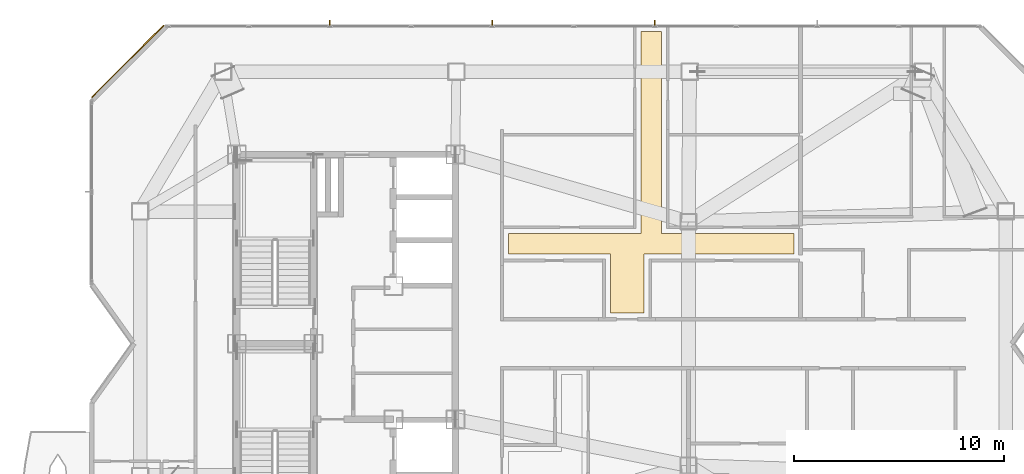
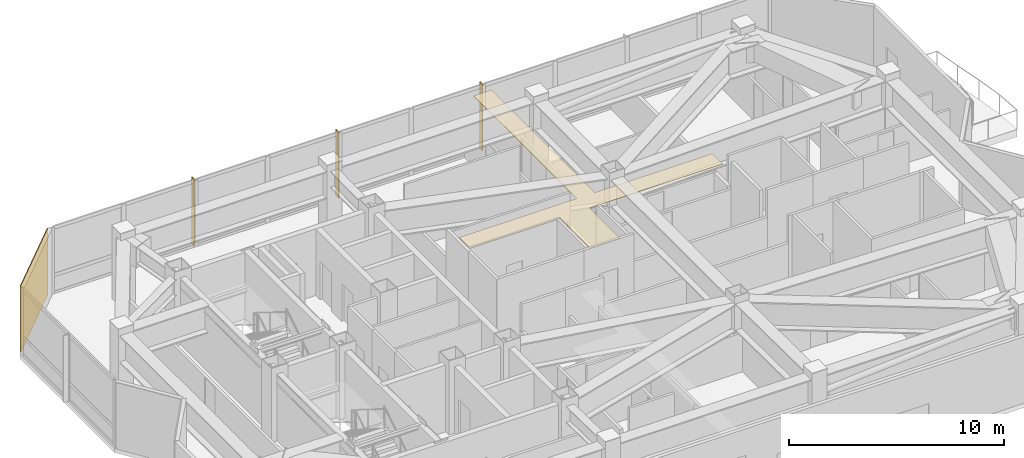
# One storey, part 15 of 16: 3 shading devices, 2 coverings.
"""IFC4 building model written with IfcOpenShell, lengths in metres."""

from ifc_helpers import new_model, si_unit, direction, frame, origin, origin_2d, place, context, subcontext, project, spatial, polyline, rectangle, outline, extrude, material, layer, layer_set, type_object, element, save


model = new_model("IFC4")

# Units and contexts
model_context = context("Model", 3, precision=1e-05, world=origin(), true_north=direction((0.0, 1.0)))
body_context = subcontext(model_context, "Body", "Model", "MODEL_VIEW")
ifc_project = project(units=[si_unit("LENGTHUNIT", "METRE"), si_unit("AREAUNIT", "SQUARE_METRE"), si_unit("VOLUMEUNIT", "CUBIC_METRE"), si_unit("PLANEANGLEUNIT", "RADIAN"), si_unit("MASSUNIT", "GRAM", prefix="KILO")], contexts=[model_context])

# Site, building, storey
site_placement = place(None, origin())
site = spatial("IfcSite", under=ifc_project, at=site_placement, CompositionType="ELEMENT")
building_placement = place(site_placement, origin())
building = spatial("IfcBuilding", under=site, at=building_placement, Name="Khamvora Tower", CompositionType="ELEMENT")
storey_placement = place(building_placement, frame((0.0, 0.0, 273.64990234375)))
storey = spatial("IfcBuildingStorey", under=building, at=storey_placement, Name="L70", CompositionType="ELEMENT", Elevation=273.64990234375)

# Coverings
ifc_material_1 = material(Name="Perforated Mineral-Fibre Acoustic Ceiling Tile", Category="gypsum")
ifc_layer_1 = layer(ifc_material_1, 0.02490234375)
ifc_layer_set_1 = layer_set([ifc_layer_1], Name="Perforated Mineral-Fibre Acoustic Ceiling Tile")
covering_type_1 = type_object("IfcCoveringType", Name="COV-CEIL-600", PredefinedType="CEILING", material=ifc_layer_set_1)
covering_1_placement = place(storey_placement, frame((0.0, 0.0, 3.5)))
element("IfcCovering", 1, at=covering_1_placement, inside=storey, type_object=covering_type_1, Name="L70 Apartment 70E1 Living and Dining Room acoustic ceiling panel", PredefinedType="CEILING", context=body_context, shape_type="SweptSolid", body=[
    extrude(outline(polyline([(48.243896484375, 33.235107421875), (48.243896484375, 42.85009765625), (49.2041015625, 42.85009765625), (49.2041015625, 33.235107421875), (55.528076171875, 33.235107421875), (55.528076171875, 32.264892578125), (48.368896484375, 32.264892578125), (48.368896484375, 29.469970703125), (46.779052734375, 29.469970703125), (46.779052734375, 32.264892578125), (41.919921875, 32.264892578125), (41.919921875, 33.235107421875), (48.243896484375, 33.235107421875)])), origin(), (0.0, 0.0, 1.0), 0.025146484375),
])
ifc_material_2 = material(Name="Pale Anodised Aluminium Rainscreen Panel", Category="aluminium")
ifc_layer_2 = layer(ifc_material_2, 0.044921875)
ifc_layer_set_2 = layer_set([ifc_layer_2], Name="Pale Anodised Aluminium Rainscreen Panel")
covering_type_2 = type_object("IfcCoveringType", Name="COV-CLD-ALU", PredefinedType="CLADDING", material=ifc_layer_set_2)
covering_2_placement = place(storey_placement, frame((23.80908203125, 41.43505859375, 0.0), z_axis=(0.0, 0.0, 1.0), x_axis=(0.707106781187, 0.707106781187, 0.0)))
element("IfcCovering", 2, at=covering_2_placement, inside=storey, type_object=covering_type_2, Name="L70 chamfer rainscreen cladding 06.1", PredefinedType="CLADDING", context=body_context, shape_type="SweptSolid", body=[
    extrude(rectangle(XDim=4.845947265625, YDim=0.044921875, at=origin_2d()), origin(), (0.0, 0.0, 1.0), 3.780029296875),
])

# Shading devices
ifc_material_3 = material(Name="Pale Anodised Aluminium 6063-T6", Category="aluminium")
shading_device_type = type_object("IfcShadingDeviceType", Name="SHD-FIN-280", PredefinedType="USERDEFINED", material=ifc_material_3)
for number, where, z_axis, x_axis, name in (
    (3, (33.43310546875, 43.264892578125, 0.0), (0.0, 0.0, 1.0), (1.0, 0.0, 0.0), "L70 anodised bronze solar fin 07.01"),
    (4, (41.1650390625, 43.264892578125, 0.0), (0.0, 0.0, 1.0), (1.0, 0.0, 0.0), "L70 anodised bronze solar fin 07.02"),
    (5, (48.89599609375, 43.264892578125, 0.0), (0.0, 0.0, 1.0), (1.0, 0.0, 0.0), "L70 anodised bronze solar fin 07.03"),
):
    element("IfcShadingDevice", number, at=place(storey_placement, frame(where, z_axis=z_axis, x_axis=x_axis)), inside=storey, type_object=shading_device_type, Name=name, ObjectType="FIN", PredefinedType="USERDEFINED", context=body_context, shape_type="SweptSolid", body=[
        extrude(rectangle(XDim=0.050048828125, YDim=0.280029296875, at=origin_2d()), origin(), (0.0, 0.0, 1.0), 3.780029296875),
    ])

save(model, "model.ifc")
